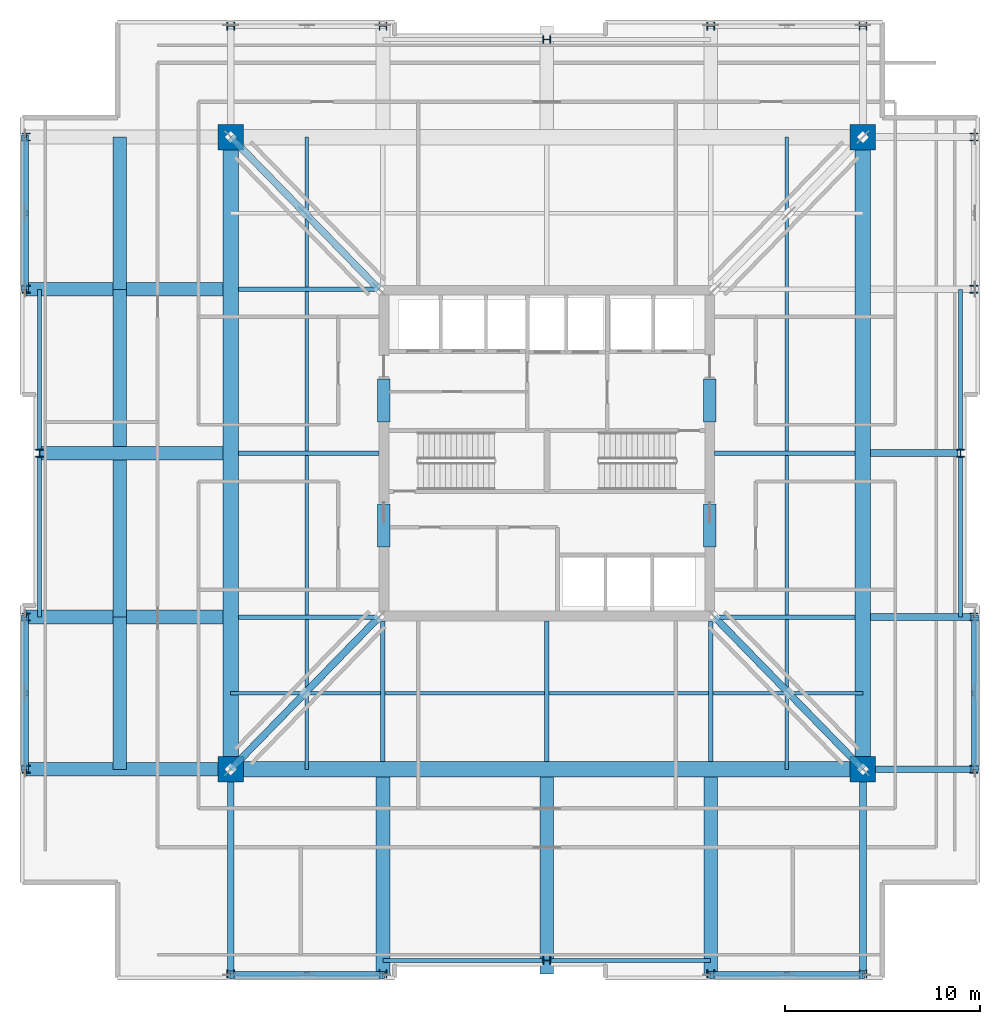
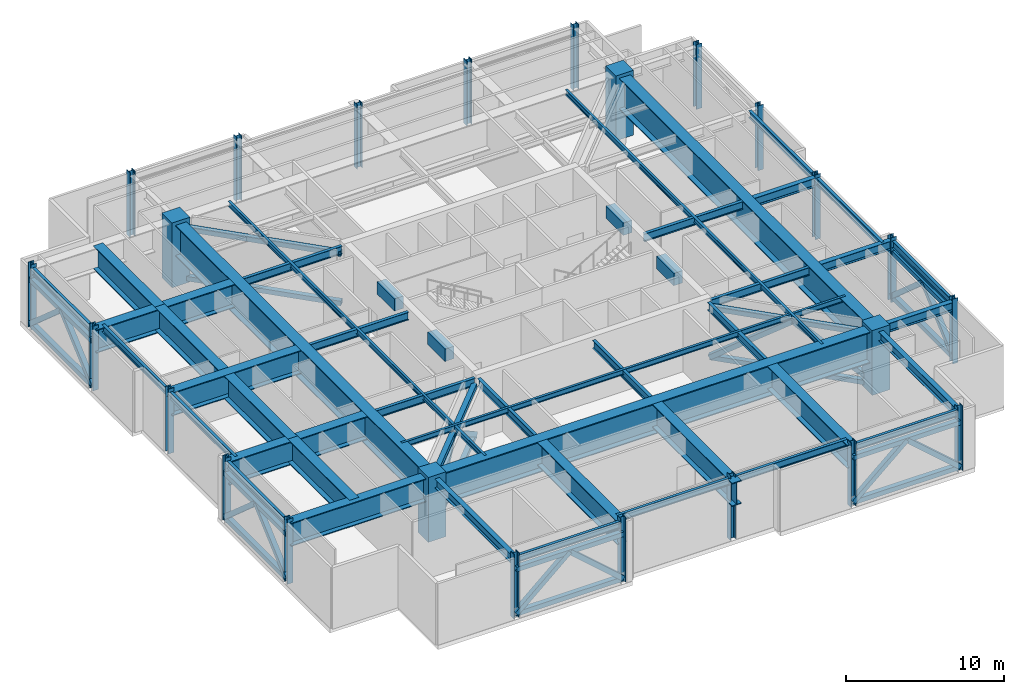
# One storey, part 1 of 13: 45 beams, 30 members, 24 columns.
"""IFC4 building model written with IfcOpenShell, lengths in metres."""

import ifcopenshell
import ifcopenshell.guid

model = None  # the IFC model being written
_history = None  # IfcOwnerHistory: only IFC2X3 demands one
_inside = {}  # id of a spatial element -> (the spatial element, [elements in it])
_under = {}  # id of a project, library or spatial element -> (it, [spatial elements below it])
_declared = {}  # id of a project -> (the project, [libraries it declares])
_typed = {}  # id of a type object -> (the type object, [elements of that type])
_made_of = {}  # id of a material, layer set ... -> (it, [elements and type objects made of it])


def new_model(schema):
    """Start an empty IFC model of exactly this schema.

    Asked for "IFC4X3", IfcOpenShell would pick the latest addendum, in which some entities
    have other attributes; the version numbers below select the first issue.
    IFC2X3 requires an IfcOwnerHistory on every rooted entity: one is made here for all.
    """
    global model, _history
    if schema == "IFC4X3":
        model = ifcopenshell.file(schema_version=(4, 3, 0, 0))
    else:
        model = ifcopenshell.file(schema=schema)
    _inside.clear()
    _under.clear()
    _declared.clear()
    _typed.clear()
    _made_of.clear()
    _history = None
    if model.schema == "IFC2X3":
        org = make("IfcOrganization", Name="unknown")
        user = make(
            "IfcPersonAndOrganization",
            ThePerson=make("IfcPerson", FamilyName="unknown"),
            TheOrganization=org,
        )
        app = make(
            "IfcApplication",
            ApplicationDeveloper=org,
            Version="unknown",
            ApplicationFullName="unknown",
            ApplicationIdentifier="unknown",
        )
        _history = make(
            "IfcOwnerHistory",
            OwningUser=user,
            OwningApplication=app,
            ChangeAction="ADDED",
            CreationDate=0,
        )
    return model


def make(cls, **values):
    """One entity of the class cls with the attributes given. An attribute that is None is left unset."""
    return model.create_entity(
        cls, **{name: value for name, value in values.items() if value is not None}
    )


def rooted(cls, **values):
    """An entity with a GlobalId (a new one), such as an element, a storey or a relation."""
    return make(cls, GlobalId=ifcopenshell.guid.new(), OwnerHistory=_history, **values)


def si_unit(unit_type, name, prefix=None):
    """IfcSIUnit, for example si_unit("LENGTHUNIT", "METRE", prefix="MILLI")."""
    return make("IfcSIUnit", UnitType=unit_type, Prefix=prefix, Name=name)


def assignment(units):
    """IfcUnitAssignment: the units of a project."""
    return None if units is None else make("IfcUnitAssignment", Units=units)


def point(xyz):
    """IfcCartesianPoint."""
    return None if xyz is None else make("IfcCartesianPoint", Coordinates=xyz)


def direction(xyz):
    """IfcDirection."""
    return None if xyz is None else make("IfcDirection", DirectionRatios=xyz)


def frame(location, z_axis=None, x_axis=None):
    """IfcAxis2Placement3D, a coordinate frame: its origin and axes. An axis left out is left unset."""
    return make(
        "IfcAxis2Placement3D",
        Location=point(location),
        Axis=direction(z_axis),
        RefDirection=direction(x_axis),
    )


def frame_2d(location, x_axis=None):
    """IfcAxis2Placement2D, a coordinate frame in the plane: its origin and x axis."""
    return make(
        "IfcAxis2Placement2D", Location=point(location), RefDirection=direction(x_axis)
    )


def origin():
    """The frame at (0, 0, 0) with its axes left unset."""
    return frame((0.0, 0.0, 0.0))


def origin_2d():
    """The frame at (0, 0) in the plane with its x axis left unset."""
    return frame_2d((0.0, 0.0))


def place(relative_to, where):
    """IfcLocalPlacement: puts the frame where relative to a parent placement (None: the world)."""
    return make(
        "IfcLocalPlacement", PlacementRelTo=relative_to, RelativePlacement=where
    )


def context(
    kind, dimensions, precision=None, world=None, true_north=None, identifier=None
):
    """IfcGeometricRepresentationContext, for example the 3D "Model" context."""
    return make(
        "IfcGeometricRepresentationContext",
        ContextIdentifier=identifier,
        ContextType=kind,
        CoordinateSpaceDimension=dimensions,
        Precision=precision,
        WorldCoordinateSystem=world,
        TrueNorth=true_north,
    )


def subcontext(parent, identifier, kind, view, scale=None):
    """IfcGeometricRepresentationSubContext, for example "Body" below "Model"."""
    return make(
        "IfcGeometricRepresentationSubContext",
        ContextIdentifier=identifier,
        ContextType=kind,
        ParentContext=parent,
        TargetScale=scale,
        TargetView=view,
    )


def project(units=None, contexts=None):
    """IfcProject with its units and contexts."""
    return rooted(
        "IfcProject",
        Name="project",
        RepresentationContexts=contexts,
        UnitsInContext=assignment(units),
    )


def spatial(cls, under=None, at=None, **own):
    """A site, building, storey or space (cls), placed at a placement, below another one or the project."""
    s = rooted(cls, ObjectPlacement=at, **own)
    if under is not None:
        _under.setdefault(under.id(), (under, []))[1].append(s)
    return s


def profile(cls, at=None, kind="AREA", **sizes):
    """A parametric profile (cls). Its sizes go by their IFC names, for example OverallWidth=200.0."""
    return make(cls, ProfileType=kind, Position=at, **sizes)


def rectangle(**sizes):
    """IfcRectangleProfileDef."""
    return profile("IfcRectangleProfileDef", **sizes)


def hollow_rectangle(**sizes):
    """IfcRectangleHollowProfileDef."""
    return profile("IfcRectangleHollowProfileDef", **sizes)


def i_section(**sizes):
    """IfcIShapeProfileDef."""
    return profile("IfcIShapeProfileDef", **sizes)


def extrude(swept, where, along, depth):
    """IfcExtrudedAreaSolid: the profile swept, set in the frame where, extruded along a direction by depth."""
    return make(
        "IfcExtrudedAreaSolid",
        SweptArea=swept,
        Position=where,
        ExtrudedDirection=direction(along),
        Depth=depth,
    )


def shape(context_of_items, identifier, shape_type, items):
    """IfcShapeRepresentation: the items that make up one representation, for example the "Body"."""
    return make(
        "IfcShapeRepresentation",
        ContextOfItems=context_of_items,
        RepresentationIdentifier=identifier,
        RepresentationType=shape_type,
        Items=items,
    )


def material(Name=None, Category=None):
    """IfcMaterial."""
    return make("IfcMaterial", Name=Name, Category=Category)


def material_profile(
    of_material, cross_section, Name=None, Category=None, Priority=None
):
    """IfcMaterialProfile: a cross section and its material."""
    return make(
        "IfcMaterialProfile",
        Name=Name,
        Material=of_material,
        Profile=cross_section,
        Priority=Priority,
        Category=Category,
    )


def profile_set(profiles, Name=None, composite=None):
    """IfcMaterialProfileSet."""
    return make(
        "IfcMaterialProfileSet",
        Name=Name,
        MaterialProfiles=profiles,
        CompositeProfile=composite,
    )


def made_of(thing, what):
    """Note that an element or type object is made of a material, layer set ...; save() writes the relation."""
    if what is not None:
        _made_of.setdefault(what.id(), (what, []))[1].append(thing)
    return thing


def type_object(cls, material=None, **own):
    """A type object (cls), such as IfcWallType, which elements share."""
    return made_of(rooted(cls, **own), material)


def element(
    cls,
    number,
    at=None,
    inside=None,
    cuts=None,
    type_object=None,
    material=None,
    context=None,
    identifier="Body",
    shape_type=None,
    held_by="IfcProductDefinitionShape",
    body=None,
    shapes=None,
    **own,
):
    """One element of the class cls, such as IfcWall. Its Tag is "e" and its number.

    at: its placement. inside: the storey or other place that contains it. cuts: it is an
    opening in that element (IfcRelVoidsElement). A single representation is given by context,
    identifier, shape_type and body (its items); several are given by shapes. held_by: the class
    of the entity that holds the representations. save() writes the other relations.
    """
    e = rooted(cls, Tag="e%d" % number, ObjectPlacement=at, **own)
    if body is not None:
        shapes = [shape(context, identifier, shape_type, body)]
    if shapes is not None:
        e.Representation = make(held_by, Representations=shapes)
    if inside is not None:
        _inside.setdefault(inside.id(), (inside, []))[1].append(e)
    if cuts is not None:
        rooted(
            "IfcRelVoidsElement", RelatingBuildingElement=cuts, RelatedOpeningElement=e
        )
    if type_object is not None:
        _typed.setdefault(type_object.id(), (type_object, []))[1].append(e)
    return made_of(e, material)


def aggregate(whole, parts):
    """IfcRelAggregates: a whole, such as a stair, and the parts it consists of."""
    return rooted("IfcRelAggregates", RelatingObject=whole, RelatedObjects=parts)


def save(model, path):
    """Write the relations noted so far, then the file.

    IfcRelAggregates (storeys below a building ...), IfcRelContainedInSpatialStructure (elements
    in a storey), IfcRelDefinesByType, IfcRelAssociatesMaterial and IfcRelDeclares: one each for
    every whole, place, type object, material and project.
    """
    for whole, parts in _under.values():
        aggregate(whole, parts)
    for where, things in _inside.values():
        rooted(
            "IfcRelContainedInSpatialStructure",
            RelatedElements=things,
            RelatingStructure=where,
        )
    for kind, things in _typed.values():
        rooted("IfcRelDefinesByType", RelatedObjects=things, RelatingType=kind)
    for what, things in _made_of.values():
        rooted("IfcRelAssociatesMaterial", RelatedObjects=things, RelatingMaterial=what)
    for by, libraries in _declared.values():
        rooted("IfcRelDeclares", RelatingContext=by, RelatedDefinitions=libraries)
    model.write(path)


model = new_model("IFC4")

# Units and contexts
model_context = context("Model", 3, precision=1e-05, world=origin(), true_north=direction((0.0, 1.0)))
body_context = subcontext(model_context, "Body", "Model", "MODEL_VIEW")
ifc_project = project(units=[si_unit("LENGTHUNIT", "METRE"), si_unit("AREAUNIT", "SQUARE_METRE"), si_unit("VOLUMEUNIT", "CUBIC_METRE"), si_unit("PLANEANGLEUNIT", "RADIAN"), si_unit("MASSUNIT", "GRAM", prefix="KILO")], contexts=[model_context])

# Site, building, storey
site_placement = place(None, origin())
site = spatial("IfcSite", under=ifc_project, at=site_placement, CompositionType="ELEMENT")
building_placement = place(site_placement, origin())
building = spatial("IfcBuilding", under=site, at=building_placement, Name="Drelvath Grand Hotel", CompositionType="ELEMENT")
storey_placement = place(building_placement, frame((0.0, 0.0, 200.10009765625)))
storey = spatial("IfcBuildingStorey", under=building, at=storey_placement, Name="L52", CompositionType="ELEMENT", Elevation=200.10009765625)

# Columns
ifc_material_1 = material(Name="Concrete f'c 55 MPa", Category="concrete")
ifc_material_profile_1 = material_profile(ifc_material_1, rectangle(XDim=1.300048828125, YDim=1.300048828125, at=origin_2d()), Name="MC1300X1300")
ifc_profile_set_1 = profile_set([ifc_material_profile_1], Name="Concrete f'c 55 MPa")
column_type_1 = type_object("IfcColumnType", Name="Composite Mega Column MC1300X1300", PredefinedType="COLUMN", material=ifc_profile_set_1)
for number, where, z_axis, x_axis, name in (
    (1, (-16.199951171875, 10.800048828125, 0.0), (0.0, 0.0, 1.0), (1.0, 0.0, 0.0), "L52 Composite Mega Column MC-SW"),
    (2, (16.199951171875, 10.800048828125, 0.0), (0.0, 0.0, 1.0), (1.0, 0.0, 0.0), "L52 Composite Mega Column MC-SE"),
    (3, (-16.199951171875, 43.199951171875, 0.0), (0.0, 0.0, 1.0), (1.0, 0.0, 0.0), "L52 Composite Mega Column MC-NW"),
    (4, (16.199951171875, 43.199951171875, 0.0), (0.0, 0.0, 1.0), (1.0, 0.0, 0.0), "L52 Composite Mega Column MC-NE"),
):
    element("IfcColumn", number, at=place(storey_placement, frame(where, z_axis=z_axis, x_axis=x_axis)), inside=storey, type_object=column_type_1, Name=name, PredefinedType="COLUMN", context=body_context, shape_type="SweptSolid", body=[
        extrude(rectangle(XDim=1.300048828125, YDim=1.300048828125, at=origin_2d()), origin(), (0.0, 0.0, 1.0), 5.0),
    ])
ifc_material_2 = material(Name="Steel ASTM A913 Gr 65", Category="steel")
ifc_material_profile_2 = material_profile(ifc_material_2, i_section(OverallWidth=0.4013671875, OverallDepth=0.3994140625, WebThickness=0.02490234375, FlangeThickness=0.03955078125, FilletRadius=0.02490234375, at=origin_2d()), Name="W14X211")
ifc_profile_set_2 = profile_set([ifc_material_profile_2], Name="Steel ASTM A913 Gr 65")
column_type_2 = type_object("IfcColumnType", Name="Perimeter Steel Column W14X211", PredefinedType="COLUMN", material=ifc_profile_set_2)
for number, where, z_axis, x_axis, name in (
    (5, (-26.679931640625, 10.800048828125, 0.0), (0.0, 0.0, 1.0), (1.0, 0.0, 0.0), "L52 Structural Column TCW-C"),
    (6, (21.8798828125, 10.800048828125, 0.0), (0.0, 0.0, 1.0), (1.0, 0.0, 0.0), "L52 Structural Column TCE-C"),
    (7, (-26.679931640625, 18.60009765625, 0.0), (0.0, 0.0, 1.0), (1.0, 0.0, 0.0), "L52 Structural Column TCW-D"),
    (8, (21.8798828125, 18.60009765625, 0.0), (0.0, 0.0, 1.0), (1.0, 0.0, 0.0), "L52 Structural Column TCE-D"),
    (9, (-26.0, 27.0, 0.0), (0.0, 0.0, 1.0), (1.0, 0.0, 0.0), "L52 Structural Column TCW-E"),
    (10, (21.199951171875, 27.0, 0.0), (0.0, 0.0, 1.0), (1.0, 0.0, 0.0), "L52 Structural Column TCE-E"),
    (11, (-26.679931640625, 35.39990234375, 0.0), (0.0, 0.0, 1.0), (1.0, 0.0, 0.0), "L52 Structural Column TCW-F"),
    (12, (21.8798828125, 35.39990234375, 0.0), (0.0, 0.0, 1.0), (1.0, 0.0, 0.0), "L52 Structural Column TCE-F"),
    (13, (-26.679931640625, 43.199951171875, 0.0), (0.0, 0.0, 1.0), (1.0, 0.0, 0.0), "L52 Structural Column TCW-G"),
    (14, (21.8798828125, 43.199951171875, 0.0), (0.0, 0.0, 1.0), (1.0, 0.0, 0.0), "L52 Structural Column TCE-G"),
    (15, (-16.199951171875, 0.320068359375, 0.0), (0.0, 0.0, 1.0), (0.0, 1.0, 0.0), "L52 Structural Column TCS-3"),
    (16, (-16.199951171875, 48.8798828125, 0.0), (0.0, 0.0, 1.0), (0.0, 1.0, 0.0), "L52 Structural Column TCN-3"),
    (17, (-8.39990234375, 0.320068359375, 0.0), (0.0, 0.0, 1.0), (0.0, 1.0, 0.0), "L52 Structural Column TCS-4"),
    (18, (-8.39990234375, 48.8798828125, 0.0), (0.0, 0.0, 1.0), (0.0, 1.0, 0.0), "L52 Structural Column TCN-4"),
    (19, (0.0, 1.0, 0.0), (0.0, 0.0, 1.0), (0.0, 1.0, 0.0), "L52 Structural Column TCS-5"),
    (20, (0.0, 48.199951171875, 0.0), (0.0, 0.0, 1.0), (0.0, 1.0, 0.0), "L52 Structural Column TCN-5"),
    (21, (8.39990234375, 0.320068359375, 0.0), (0.0, 0.0, 1.0), (0.0, 1.0, 0.0), "L52 Structural Column TCS-6"),
    (22, (8.39990234375, 48.8798828125, 0.0), (0.0, 0.0, 1.0), (0.0, 1.0, 0.0), "L52 Structural Column TCN-6"),
    (23, (16.199951171875, 0.320068359375, 0.0), (0.0, 0.0, 1.0), (0.0, 1.0, 0.0), "L52 Structural Column TCS-7"),
    (24, (16.199951171875, 48.8798828125, 0.0), (0.0, 0.0, 1.0), (0.0, 1.0, 0.0), "L52 Structural Column TCN-7"),
):
    element("IfcColumn", number, at=place(storey_placement, frame(where, z_axis=z_axis, x_axis=x_axis)), inside=storey, type_object=column_type_2, Name=name, PredefinedType="COLUMN", context=body_context, shape_type="SweptSolid", body=[
        extrude(i_section(OverallWidth=0.4013671875, OverallDepth=0.3994140625, WebThickness=0.02490234375, FlangeThickness=0.03955078125, FilletRadius=0.02490234375, at=origin_2d()), origin(), (0.0, 0.0, 1.0), 4.996826171875),
    ])

# Beams
ifc_material_3 = material(Name="Steel ASTM A572 Gr 50", Category="steel")
ifc_material_profile_3 = material_profile(ifc_material_3, i_section(OverallWidth=0.699951171875, OverallDepth=1.800048828125, WebThickness=0.035888671875, FlangeThickness=0.06494140625, at=origin_2d()), Name="PG1800X700")
ifc_profile_set_3 = profile_set([ifc_material_profile_3], Name="Steel ASTM A572 Gr 50")
beam_type_1 = type_object("IfcBeamType", Name="Built-Up Transfer Girder PG1800X700", PredefinedType="BEAM", material=ifc_profile_set_3)
beam_1_placement = place(storey_placement, frame((-21.8798828125, 10.800048828125, 3.83984375), z_axis=(0.0, 1.0, 0.0), x_axis=(-1.0, 0.0, 0.0)))
element("IfcBeam", 25, at=beam_1_placement, inside=storey, type_object=beam_type_1, Name="L52 Setback Transfer Girder West 1", PredefinedType="BEAM", context=body_context, shape_type="SweptSolid", body=[
    extrude(i_section(OverallWidth=0.699951171875, OverallDepth=1.800048828125, WebThickness=0.035888671875, FlangeThickness=0.06494140625, at=origin_2d()), origin(), (0.0, 0.0, 1.0), 7.800048828125),
])
for number, where, z_axis, x_axis, name in (
    (26, (-21.8798828125, 18.60009765625, 3.83984375), (0.0, 1.0, 0.0), (-1.0, 0.0, 0.0), "L52 Setback Transfer Girder West 2"),
    (27, (-21.8798828125, 27.35009765625, 3.83984375), (0.0, 1.0, 0.0), (-1.0, 0.0, 0.0), "L52 Setback Transfer Girder West 3"),
):
    element("IfcBeam", number, at=place(storey_placement, frame(where, z_axis=z_axis, x_axis=x_axis)), inside=storey, type_object=beam_type_1, Name=name, PredefinedType="BEAM", context=body_context, shape_type="SweptSolid", body=[
        extrude(i_section(OverallWidth=0.699951171875, OverallDepth=1.800048828125, WebThickness=0.035888671875, FlangeThickness=0.06494140625, at=origin_2d()), origin(), (0.0, 0.0, 1.0), 8.0498046875),
    ])
beam_2_placement = place(storey_placement, frame((-21.8798828125, 35.39990234375, 3.83984375), z_axis=(0.0, 1.0, 0.0), x_axis=(-1.0, 0.0, 0.0)))
element("IfcBeam", 28, at=beam_2_placement, inside=storey, type_object=beam_type_1, Name="L52 Setback Transfer Girder West 4", PredefinedType="BEAM", context=body_context, shape_type="SweptSolid", body=[
    extrude(i_section(OverallWidth=0.699951171875, OverallDepth=1.800048828125, WebThickness=0.035888671875, FlangeThickness=0.06494140625, at=origin_2d()), origin(), (0.0, 0.0, 1.0), 7.800048828125),
])
beam_3_placement = place(storey_placement, frame((-26.679931640625, 10.800048828125, 3.83984375), z_axis=(1.0, 0.0, 0.0), x_axis=(0.0, 1.0, 0.0)))
element("IfcBeam", 29, at=beam_3_placement, inside=storey, type_object=beam_type_1, Name="L52 Setback Cross Transfer Girder C", PredefinedType="BEAM", context=body_context, shape_type="SweptSolid", body=[
    extrude(i_section(OverallWidth=0.699951171875, OverallDepth=1.800048828125, WebThickness=0.035888671875, FlangeThickness=0.06494140625, at=origin_2d()), origin(), (0.0, 0.0, 1.0), 10.47998046875),
])
beam_4_placement = place(storey_placement, frame((-26.679931640625, 18.60009765625, 3.83984375), z_axis=(1.0, 0.0, 0.0), x_axis=(0.0, 1.0, 0.0)))
element("IfcBeam", 30, at=beam_4_placement, inside=storey, type_object=beam_type_1, Name="L52 Setback Cross Transfer Girder D", PredefinedType="BEAM", context=body_context, shape_type="SweptSolid", body=[
    extrude(i_section(OverallWidth=0.699951171875, OverallDepth=1.800048828125, WebThickness=0.035888671875, FlangeThickness=0.06494140625, at=origin_2d()), origin(), (0.0, 0.0, 1.0), 10.079833984375),
])
beam_5_placement = place(storey_placement, frame((-26.0, 27.0, 3.83984375), z_axis=(1.0, 0.0, 0.0), x_axis=(0.0, 1.0, 0.0)))
element("IfcBeam", 31, at=beam_5_placement, inside=storey, type_object=beam_type_1, Name="L52 Setback Cross Transfer Girder E", PredefinedType="BEAM", context=body_context, shape_type="SweptSolid", body=[
    extrude(i_section(OverallWidth=0.699951171875, OverallDepth=1.800048828125, WebThickness=0.035888671875, FlangeThickness=0.06494140625, at=origin_2d()), origin(), (0.0, 0.0, 1.0), 9.39990234375),
])
for number, where, z_axis, x_axis, name in (
    (32, (-26.679931640625, 35.39990234375, 3.83984375), (1.0, 0.0, 0.0), (0.0, 1.0, 0.0), "L52 Setback Cross Transfer Girder F"),
    (33, (-8.39990234375, 0.320068359375, 3.83984375), (0.0, 1.0, 0.0), (-1.0, 0.0, 0.0), "L52 Recess Transfer Girder S4"),
    (34, (0.0, 0.320068359375, 3.83984375), (0.0, 1.0, 0.0), (-1.0, 0.0, 0.0), "L52 Recess Transfer Girder S5"),
    (35, (8.39990234375, 0.320068359375, 3.83984375), (0.0, 1.0, 0.0), (-1.0, 0.0, 0.0), "L52 Recess Transfer Girder S6"),
):
    element("IfcBeam", number, at=place(storey_placement, frame(where, z_axis=z_axis, x_axis=x_axis)), inside=storey, type_object=beam_type_1, Name=name, PredefinedType="BEAM", context=body_context, shape_type="SweptSolid", body=[
        extrude(i_section(OverallWidth=0.699951171875, OverallDepth=1.800048828125, WebThickness=0.035888671875, FlangeThickness=0.06494140625, at=origin_2d()), origin(), (0.0, 0.0, 1.0), 10.079833984375),
    ])
ifc_material_profile_4 = material_profile(ifc_material_3, i_section(OverallWidth=0.800048828125, OverallDepth=2.39990234375, WebThickness=0.0400390625, FlangeThickness=0.074951171875, at=origin_2d()), Name="PG2400X800")
ifc_profile_set_4 = profile_set([ifc_material_profile_4], Name="Steel ASTM A572 Gr 50")
beam_type_2 = type_object("IfcBeamType", Name="Built-Up Transfer Girder PG2400X800", PredefinedType="BEAM", material=ifc_profile_set_4)
for number, where, z_axis, x_axis, name in (
    (36, (-16.199951171875, 10.800048828125, 3.539794921875), (1.0, 0.0, 0.0), (0.0, 1.0, 0.0), "L52 Mega Ring Girder South"),
    (37, (-16.199951171875, 10.800048828125, 3.539794921875), (0.0, 1.0, 0.0), (-1.0, 0.0, 0.0), "L52 Mega Ring Girder West"),
    (38, (16.199951171875, 10.800048828125, 3.539794921875), (0.0, 1.0, 0.0), (-1.0, 0.0, 0.0), "L52 Mega Ring Girder East"),
):
    element("IfcBeam", number, at=place(storey_placement, frame(where, z_axis=z_axis, x_axis=x_axis)), inside=storey, type_object=beam_type_2, Name=name, PredefinedType="BEAM", context=body_context, shape_type="SweptSolid", body=[
        extrude(i_section(OverallWidth=0.800048828125, OverallDepth=2.39990234375, WebThickness=0.0400390625, FlangeThickness=0.074951171875, at=origin_2d()), origin(), (0.0, 0.0, 1.0), 32.39990234375),
    ])
ifc_material_4 = material(Name="Steel ASTM A992 Gr 50", Category="steel")
ifc_material_profile_5 = material_profile(ifc_material_4, i_section(OverallWidth=0.177734375, OverallDepth=0.40673828125, WebThickness=0.0078125, FlangeThickness=0.0126953125, FilletRadius=0.014892578125, at=origin_2d()), Name="W16X40")
ifc_profile_set_5 = profile_set([ifc_material_profile_5], Name="Steel ASTM A992 Gr 50")
beam_type_3 = type_object("IfcBeamType", Name="Composite Floor Joist W16X40", PredefinedType="JOIST", material=ifc_profile_set_5)
for number, where, z_axis, x_axis, name in (
    (39, (-16.199951171875, 14.699951171875, 4.53662109375), (1.0, 0.0, 0.0), (0.0, 1.0, 0.0), "L52 Floor Joist J1"),
    (40, (-12.300048828125, 10.800048828125, 4.53662109375), (0.0, 1.0, 0.0), (-1.0, 0.0, 0.0), "L52 Wing Floor Joist J3"),
    (41, (12.300048828125, 10.800048828125, 4.53662109375), (0.0, 1.0, 0.0), (-1.0, 0.0, 0.0), "L52 Wing Floor Joist J4"),
):
    element("IfcBeam", number, at=place(storey_placement, frame(where, z_axis=z_axis, x_axis=x_axis)), inside=storey, type_object=beam_type_3, Name=name, PredefinedType="JOIST", context=body_context, shape_type="SweptSolid", body=[
        extrude(i_section(OverallWidth=0.177734375, OverallDepth=0.40673828125, WebThickness=0.0078125, FlangeThickness=0.0126953125, FilletRadius=0.014892578125, at=origin_2d()), origin(), (0.0, 0.0, 1.0), 32.39990234375),
    ])
ifc_material_profile_6 = material_profile(ifc_material_1, rectangle(XDim=0.64990234375, YDim=0.949951171875, at=origin_2d()), Name="CB650X950")
ifc_profile_set_6 = profile_set([ifc_material_profile_6], Name="Concrete f'c 55 MPa")
beam_type_4 = type_object("IfcBeamType", Name="Core Coupling Lintel CB650X950", PredefinedType="LINTEL", material=ifc_profile_set_6)
for number, where, z_axis, x_axis, name in (
    (42, (-8.35009765625, 22.199951171875, 4.264892578125), (0.0, 1.0, 0.0), (-1.0, 0.0, 0.0), "L52 Core Coupling Lintel WS"),
    (43, (-8.35009765625, 28.60009765625, 4.264892578125), (0.0, 1.0, 0.0), (-1.0, 0.0, 0.0), "L52 Core Coupling Lintel WN"),
    (44, (8.35009765625, 22.199951171875, 4.264892578125), (0.0, 1.0, 0.0), (-1.0, 0.0, 0.0), "L52 Core Coupling Lintel ES"),
    (45, (8.35009765625, 28.60009765625, 4.264892578125), (0.0, 1.0, 0.0), (-1.0, 0.0, 0.0), "L52 Core Coupling Lintel EN"),
):
    element("IfcBeam", number, at=place(storey_placement, frame(where, z_axis=z_axis, x_axis=x_axis)), inside=storey, type_object=beam_type_4, Name=name, PredefinedType="LINTEL", context=body_context, shape_type="SweptSolid", body=[
        extrude(rectangle(XDim=0.64990234375, YDim=0.949951171875, at=origin_2d()), origin(), (0.0, 0.0, 1.0), 2.199951171875),
    ])

# Members
ifc_material_5 = material(Name="Steel ASTM A500 Gr C", Category="steel")
ifc_material_profile_7 = material_profile(ifc_material_5, hollow_rectangle(XDim=0.355712890625, YDim=0.355712890625, WallThickness=0.015869140625, at=origin_2d()), Name="HSS356X356X16")
ifc_profile_set_7 = profile_set([ifc_material_profile_7], Name="Steel ASTM A500 Gr C")
member_type_1 = type_object("IfcMemberType", Name="Outrigger and Belt Truss Brace HSS356X356X16", PredefinedType="BRACE", material=ifc_profile_set_7)
for number, where, z_axis, x_axis, name in (
    (46, (-8.60009765625, 18.60009765625, 0.349853515625), (-0.572256955688, -0.587368598504, 0.572293723675), (0.716260617515, -0.697832879562, 0.0), "L52 Outrigger Truss Diagonal SW-1"),
    (47, (-12.39990234375, 14.699951171875, 4.14990234375), (-0.572294040882, -0.587332156059, -0.572294040882), (0.716216371491, -0.697878291114, 0.0), "L52 Outrigger Truss Diagonal SW-2"),
    (48, (8.60009765625, 18.60009765625, 0.349853515625), (0.572256955688, -0.587368598504, 0.572293723675), (0.716260617515, 0.697832879562, 0.0), "L52 Outrigger Truss Diagonal SE-1"),
    (49, (12.39990234375, 14.699951171875, 4.14990234375), (0.572294040882, -0.587332156059, -0.572294040882), (0.716216371491, 0.697878291114, 0.0), "L52 Outrigger Truss Diagonal SE-2"),
):
    element("IfcMember", number, at=place(storey_placement, frame(where, z_axis=z_axis, x_axis=x_axis)), inside=storey, type_object=member_type_1, Name=name, PredefinedType="BRACE", context=body_context, shape_type="SweptSolid", body=[
        extrude(hollow_rectangle(XDim=0.355712890625, YDim=0.355712890625, WallThickness=0.015869140625, at=origin_2d()), origin(), (0.0, 0.0, 1.0), 6.64013671875),
    ])
member_1_placement = place(storey_placement, frame((-26.75, 10.800048828125, 0.349853515625), z_axis=(0.0, 0.750902788977, 0.660412750866), x_axis=(-1.0, 0.0, 0.0)))
element("IfcMember", 50, at=member_1_placement, inside=storey, type_object=member_type_1, Name="L52 Belt Truss Diagonal BW-S-1", PredefinedType="BRACE", context=body_context, shape_type="SweptSolid", body=[
    extrude(hollow_rectangle(XDim=0.355712890625, YDim=0.355712890625, WallThickness=0.015869140625, at=origin_2d()), origin(), (0.0, 0.0, 1.0), 5.193603515625),
])
for number, where, z_axis, x_axis, name in (
    (51, (-26.75, 14.699951171875, 3.77978515625), (0.0, 0.750923290114, -0.660389439925), (-1.0, 0.0, 0.0), "L52 Belt Truss Diagonal BW-S-2"),
    (52, (-26.75, 35.39990234375, 0.349853515625), (0.0, 0.750923290114, 0.660389439925), (-1.0, 0.0, 0.0), "L52 Belt Truss Diagonal BW-N-1"),
):
    element("IfcMember", number, at=place(storey_placement, frame(where, z_axis=z_axis, x_axis=x_axis)), inside=storey, type_object=member_type_1, Name=name, PredefinedType="BRACE", context=body_context, shape_type="SweptSolid", body=[
        extrude(hollow_rectangle(XDim=0.355712890625, YDim=0.355712890625, WallThickness=0.015869140625, at=origin_2d()), origin(), (0.0, 0.0, 1.0), 5.19384765625),
    ])
for number, where, z_axis, x_axis, name in (
    (53, (-26.75, 39.300048828125, 3.77978515625), (0.0, 0.750902788977, -0.660412750866), (-1.0, 0.0, 0.0), "L52 Belt Truss Diagonal BW-N-2"),
    (54, (21.949951171875, 10.800048828125, 0.349853515625), (0.0, 0.750902788977, 0.660412750866), (-1.0, 0.0, 0.0), "L52 Belt Truss Diagonal BE-S-1"),
):
    element("IfcMember", number, at=place(storey_placement, frame(where, z_axis=z_axis, x_axis=x_axis)), inside=storey, type_object=member_type_1, Name=name, PredefinedType="BRACE", context=body_context, shape_type="SweptSolid", body=[
        extrude(hollow_rectangle(XDim=0.355712890625, YDim=0.355712890625, WallThickness=0.015869140625, at=origin_2d()), origin(), (0.0, 0.0, 1.0), 5.193603515625),
    ])
member_2_placement = place(storey_placement, frame((21.949951171875, 14.699951171875, 3.77978515625), z_axis=(0.0, 0.750923290114, -0.660389439925), x_axis=(-1.0, 0.0, 0.0)))
element("IfcMember", 55, at=member_2_placement, inside=storey, type_object=member_type_1, Name="L52 Belt Truss Diagonal BE-S-2", PredefinedType="BRACE", context=body_context, shape_type="SweptSolid", body=[
    extrude(hollow_rectangle(XDim=0.355712890625, YDim=0.355712890625, WallThickness=0.015869140625, at=origin_2d()), origin(), (0.0, 0.0, 1.0), 5.19384765625),
])
member_3_placement = place(storey_placement, frame((-16.199951171875, 0.25, 0.349853515625), z_axis=(0.750902788977, 0.0, 0.660412750866), x_axis=(0.0, 1.0, 0.0)))
element("IfcMember", 56, at=member_3_placement, inside=storey, type_object=member_type_1, Name="L52 Belt Truss Diagonal BS-W-1", PredefinedType="BRACE", context=body_context, shape_type="SweptSolid", body=[
    extrude(hollow_rectangle(XDim=0.355712890625, YDim=0.355712890625, WallThickness=0.015869140625, at=origin_2d()), origin(), (0.0, 0.0, 1.0), 5.193603515625),
])
for number, where, z_axis, x_axis, name in (
    (57, (-12.300048828125, 0.25, 3.77978515625), (0.750923290114, 0.0, -0.660389439925), (0.0, 1.0, 0.0), "L52 Belt Truss Diagonal BS-W-2"),
    (58, (8.39990234375, 0.25, 0.349853515625), (0.750923290114, 0.0, 0.660389439925), (0.0, 1.0, 0.0), "L52 Belt Truss Diagonal BS-E-1"),
):
    element("IfcMember", number, at=place(storey_placement, frame(where, z_axis=z_axis, x_axis=x_axis)), inside=storey, type_object=member_type_1, Name=name, PredefinedType="BRACE", context=body_context, shape_type="SweptSolid", body=[
        extrude(hollow_rectangle(XDim=0.355712890625, YDim=0.355712890625, WallThickness=0.015869140625, at=origin_2d()), origin(), (0.0, 0.0, 1.0), 5.19384765625),
    ])
member_4_placement = place(storey_placement, frame((12.300048828125, 0.25, 3.77978515625), z_axis=(0.750902788977, 0.0, -0.660412750866), x_axis=(0.0, 1.0, 0.0)))
element("IfcMember", 59, at=member_4_placement, inside=storey, type_object=member_type_1, Name="L52 Belt Truss Diagonal BS-E-2", PredefinedType="BRACE", context=body_context, shape_type="SweptSolid", body=[
    extrude(hollow_rectangle(XDim=0.355712890625, YDim=0.355712890625, WallThickness=0.015869140625, at=origin_2d()), origin(), (0.0, 0.0, 1.0), 5.193603515625),
])
ifc_material_profile_8 = material_profile(ifc_material_5, hollow_rectangle(XDim=0.355712890625, YDim=0.355712890625, WallThickness=0.015869140625, at=origin_2d()), Name="HSS356X356X16")
ifc_profile_set_8 = profile_set([ifc_material_profile_8], Name="Steel ASTM A500 Gr C")
member_type_2 = type_object("IfcMemberType", Name="Outrigger and Belt Truss Chord HSS356X356X16", PredefinedType="CHORD", material=ifc_profile_set_8)
for number, where, z_axis, x_axis, name in (
    (60, (-8.60009765625, 18.60009765625, 0.349853515625), (-0.697855585679, -0.716238494872, 0.0), (0.716238494872, -0.697855585679, 0.0), "L52 Outrigger Truss Bottom Chord SW"),
    (61, (-8.60009765625, 18.60009765625, 4.14990234375), (-0.697855585679, -0.716238494872, 0.0), (0.716238494872, -0.697855585679, 0.0), "L52 Outrigger Truss Top Chord SW"),
    (62, (8.60009765625, 18.60009765625, 0.349853515625), (0.697855585679, -0.716238494872, 0.0), (0.716238494872, 0.697855585679, 0.0), "L52 Outrigger Truss Bottom Chord SE"),
    (63, (8.60009765625, 18.60009765625, 4.14990234375), (0.697855585679, -0.716238494872, 0.0), (0.716238494872, 0.697855585679, 0.0), "L52 Outrigger Truss Top Chord SE"),
    (64, (-8.60009765625, 35.39990234375, 0.349853515625), (-0.697855585679, 0.716238494872, 0.0), (-0.716238494872, -0.697855585679, 0.0), "L52 Outrigger Truss Bottom Chord NW"),
    (65, (-8.60009765625, 35.39990234375, 4.14990234375), (-0.697855585679, 0.716238494872, 0.0), (-0.716238494872, -0.697855585679, 0.0), "L52 Outrigger Truss Top Chord NW"),
):
    element("IfcMember", number, at=place(storey_placement, frame(where, z_axis=z_axis, x_axis=x_axis)), inside=storey, type_object=member_type_2, Name=name, PredefinedType="CHORD", context=body_context, shape_type="SweptSolid", body=[
        extrude(hollow_rectangle(XDim=0.355712890625, YDim=0.355712890625, WallThickness=0.015869140625, at=origin_2d()), origin(), (0.0, 0.0, 1.0), 10.890380859375),
    ])
for number, where, z_axis, x_axis, name in (
    (66, (-26.75, 10.800048828125, 0.349853515625), (0.0, 1.0, 0.0), (-1.0, 0.0, 0.0), "L52 Belt Truss Bottom Chord BW-S"),
    (67, (-26.75, 10.800048828125, 3.77978515625), (0.0, 1.0, 0.0), (-1.0, 0.0, 0.0), "L52 Belt Truss Top Chord BW-S"),
    (68, (-26.75, 35.39990234375, 0.349853515625), (0.0, 1.0, 0.0), (-1.0, 0.0, 0.0), "L52 Belt Truss Bottom Chord BW-N"),
    (69, (-26.75, 35.39990234375, 3.77978515625), (0.0, 1.0, 0.0), (-1.0, 0.0, 0.0), "L52 Belt Truss Top Chord BW-N"),
    (70, (21.949951171875, 10.800048828125, 0.349853515625), (0.0, 1.0, 0.0), (-1.0, 0.0, 0.0), "L52 Belt Truss Bottom Chord BE-S"),
    (71, (21.949951171875, 10.800048828125, 3.77978515625), (0.0, 1.0, 0.0), (-1.0, 0.0, 0.0), "L52 Belt Truss Top Chord BE-S"),
    (72, (-16.199951171875, 0.25, 0.349853515625), (1.0, 0.0, 0.0), (0.0, 1.0, 0.0), "L52 Belt Truss Bottom Chord BS-W"),
    (73, (-16.199951171875, 0.25, 3.77978515625), (1.0, 0.0, 0.0), (0.0, 1.0, 0.0), "L52 Belt Truss Top Chord BS-W"),
    (74, (8.39990234375, 0.25, 0.349853515625), (1.0, 0.0, 0.0), (0.0, 1.0, 0.0), "L52 Belt Truss Bottom Chord BS-E"),
    (75, (8.39990234375, 0.25, 3.77978515625), (1.0, 0.0, 0.0), (0.0, 1.0, 0.0), "L52 Belt Truss Top Chord BS-E"),
):
    element("IfcMember", number, at=place(storey_placement, frame(where, z_axis=z_axis, x_axis=x_axis)), inside=storey, type_object=member_type_2, Name=name, PredefinedType="CHORD", context=body_context, shape_type="SweptSolid", body=[
        extrude(hollow_rectangle(XDim=0.355712890625, YDim=0.355712890625, WallThickness=0.015869140625, at=origin_2d()), origin(), (0.0, 0.0, 1.0), 7.800048828125),
    ])

# Beams
ifc_material_profile_9 = material_profile(ifc_material_4, i_section(OverallWidth=0.210205078125, OverallDepth=0.53662109375, WebThickness=0.010986328125, FlangeThickness=0.017333984375, FilletRadius=0.01806640625, at=origin_2d()), Name="W21X68")
ifc_profile_set_9 = profile_set([ifc_material_profile_9], Name="Steel ASTM A992 Gr 50")
beam_type_5 = type_object("IfcBeamType", Name="Perimeter Spandrel Beam W21X68", PredefinedType="SPANDREL", material=ifc_profile_set_9)
beam_6_placement = place(storey_placement, frame((-26.679931640625, 10.93994140625, 4.4716796875), z_axis=(0.0, 1.0, 0.0), x_axis=(-1.0, 0.0, 0.0)))
element("IfcBeam", 76, at=beam_6_placement, inside=storey, type_object=beam_type_5, Name="L52 Spandrel West S", PredefinedType="SPANDREL", context=body_context, shape_type="SweptSolid", body=[
    extrude(i_section(OverallWidth=0.210205078125, OverallDepth=0.53662109375, WebThickness=0.010986328125, FlangeThickness=0.017333984375, FilletRadius=0.01806640625, at=origin_2d()), origin(), (0.0, 0.0, 1.0), 7.52001953125),
])
for number, where, z_axis, x_axis, name in (
    (77, (-26.0, 18.60009765625, 4.4716796875), (0.0, 1.0, 0.0), (-1.0, 0.0, 0.0), "L52 Spandrel West Mid S"),
    (78, (-26.0, 27.139892578125, 4.4716796875), (0.0, 1.0, 0.0), (-1.0, 0.0, 0.0), "L52 Spandrel West Mid N"),
):
    element("IfcBeam", number, at=place(storey_placement, frame(where, z_axis=z_axis, x_axis=x_axis)), inside=storey, type_object=beam_type_5, Name=name, PredefinedType="SPANDREL", context=body_context, shape_type="SweptSolid", body=[
        extrude(i_section(OverallWidth=0.210205078125, OverallDepth=0.53662109375, WebThickness=0.010986328125, FlangeThickness=0.017333984375, FilletRadius=0.01806640625, at=origin_2d()), origin(), (0.0, 0.0, 1.0), 8.260009765625),
    ])
for number, where, z_axis, x_axis, name in (
    (79, (-26.679931640625, 35.5400390625, 4.4716796875), (0.0, 1.0, 0.0), (-1.0, 0.0, 0.0), "L52 Spandrel West N"),
    (80, (21.8798828125, 10.93994140625, 4.4716796875), (0.0, 1.0, 0.0), (-1.0, 0.0, 0.0), "L52 Spandrel East S"),
):
    element("IfcBeam", number, at=place(storey_placement, frame(where, z_axis=z_axis, x_axis=x_axis)), inside=storey, type_object=beam_type_5, Name=name, PredefinedType="SPANDREL", context=body_context, shape_type="SweptSolid", body=[
        extrude(i_section(OverallWidth=0.210205078125, OverallDepth=0.53662109375, WebThickness=0.010986328125, FlangeThickness=0.017333984375, FilletRadius=0.01806640625, at=origin_2d()), origin(), (0.0, 0.0, 1.0), 7.52001953125),
    ])
for number, where, z_axis, x_axis, name in (
    (81, (21.199951171875, 18.60009765625, 4.4716796875), (0.0, 1.0, 0.0), (-1.0, 0.0, 0.0), "L52 Spandrel East Mid S"),
    (82, (21.199951171875, 27.139892578125, 4.4716796875), (0.0, 1.0, 0.0), (-1.0, 0.0, 0.0), "L52 Spandrel East Mid N"),
):
    element("IfcBeam", number, at=place(storey_placement, frame(where, z_axis=z_axis, x_axis=x_axis)), inside=storey, type_object=beam_type_5, Name=name, PredefinedType="SPANDREL", context=body_context, shape_type="SweptSolid", body=[
        extrude(i_section(OverallWidth=0.210205078125, OverallDepth=0.53662109375, WebThickness=0.010986328125, FlangeThickness=0.017333984375, FilletRadius=0.01806640625, at=origin_2d()), origin(), (0.0, 0.0, 1.0), 8.260009765625),
    ])
beam_7_placement = place(storey_placement, frame((-16.06005859375, 0.320068359375, 4.4716796875), z_axis=(1.0, 0.0, 0.0), x_axis=(0.0, 1.0, 0.0)))
element("IfcBeam", 83, at=beam_7_placement, inside=storey, type_object=beam_type_5, Name="L52 Spandrel South W", PredefinedType="SPANDREL", context=body_context, shape_type="SweptSolid", body=[
    extrude(i_section(OverallWidth=0.210205078125, OverallDepth=0.53662109375, WebThickness=0.010986328125, FlangeThickness=0.017333984375, FilletRadius=0.01806640625, at=origin_2d()), origin(), (0.0, 0.0, 1.0), 7.52001953125),
])
for number, where, z_axis, x_axis, name in (
    (84, (-8.39990234375, 1.0, 4.4716796875), (1.0, 0.0, 0.0), (0.0, 1.0, 0.0), "L52 Spandrel South Mid W"),
    (85, (0.139892578125, 1.0, 4.4716796875), (1.0, 0.0, 0.0), (0.0, 1.0, 0.0), "L52 Spandrel South Mid E"),
):
    element("IfcBeam", number, at=place(storey_placement, frame(where, z_axis=z_axis, x_axis=x_axis)), inside=storey, type_object=beam_type_5, Name=name, PredefinedType="SPANDREL", context=body_context, shape_type="SweptSolid", body=[
        extrude(i_section(OverallWidth=0.210205078125, OverallDepth=0.53662109375, WebThickness=0.010986328125, FlangeThickness=0.017333984375, FilletRadius=0.01806640625, at=origin_2d()), origin(), (0.0, 0.0, 1.0), 8.260009765625),
    ])
beam_8_placement = place(storey_placement, frame((8.5400390625, 0.320068359375, 4.4716796875), z_axis=(1.0, 0.0, 0.0), x_axis=(0.0, 1.0, 0.0)))
element("IfcBeam", 86, at=beam_8_placement, inside=storey, type_object=beam_type_5, Name="L52 Spandrel South E", PredefinedType="SPANDREL", context=body_context, shape_type="SweptSolid", body=[
    extrude(i_section(OverallWidth=0.210205078125, OverallDepth=0.53662109375, WebThickness=0.010986328125, FlangeThickness=0.017333984375, FilletRadius=0.01806640625, at=origin_2d()), origin(), (0.0, 0.0, 1.0), 7.52001953125),
])
ifc_material_profile_10 = material_profile(ifc_material_4, i_section(OverallWidth=0.228271484375, OverallDepth=0.607666015625, WebThickness=0.01123046875, FlangeThickness=0.017333984375, FilletRadius=0.02001953125, at=origin_2d()), Name="W24X76")
ifc_profile_set_10 = profile_set([ifc_material_profile_10], Name="Steel ASTM A992 Gr 50")
beam_type_6 = type_object("IfcBeamType", Name="Primary Floor Girder W24X76", PredefinedType="BEAM", material=ifc_profile_set_10)
for number, where, z_axis, x_axis, name in (
    (87, (-15.800048828125, 18.60009765625, 4.43603515625), (1.0, 0.0, 0.0), (0.0, 1.0, 0.0), "L52 West Core Tie D"),
    (88, (8.60009765625, 18.60009765625, 4.43603515625), (1.0, 0.0, 0.0), (0.0, 1.0, 0.0), "L52 East Core Tie D"),
    (89, (-15.800048828125, 27.0, 4.43603515625), (1.0, 0.0, 0.0), (0.0, 1.0, 0.0), "L52 West Core Tie E"),
    (90, (8.60009765625, 27.0, 4.43603515625), (1.0, 0.0, 0.0), (0.0, 1.0, 0.0), "L52 East Core Tie E"),
    (91, (-15.800048828125, 35.39990234375, 4.43603515625), (1.0, 0.0, 0.0), (0.0, 1.0, 0.0), "L52 West Core Tie F"),
    (92, (-8.39990234375, 11.199951171875, 4.43603515625), (0.0, 1.0, 0.0), (-1.0, 0.0, 0.0), "L52 South Core Tie 4"),
    (93, (0.0, 11.199951171875, 4.43603515625), (0.0, 1.0, 0.0), (-1.0, 0.0, 0.0), "L52 South Core Tie 5"),
    (94, (8.39990234375, 11.199951171875, 4.43603515625), (0.0, 1.0, 0.0), (-1.0, 0.0, 0.0), "L52 South Core Tie 6"),
):
    element("IfcBeam", number, at=place(storey_placement, frame(where, z_axis=z_axis, x_axis=x_axis)), inside=storey, type_object=beam_type_6, Name=name, PredefinedType="BEAM", context=body_context, shape_type="SweptSolid", body=[
        extrude(i_section(OverallWidth=0.228271484375, OverallDepth=0.607666015625, WebThickness=0.01123046875, FlangeThickness=0.017333984375, FilletRadius=0.02001953125, at=origin_2d()), origin(), (0.0, 0.0, 1.0), 7.199951171875),
    ])
ifc_material_profile_11 = material_profile(ifc_material_4, i_section(OverallWidth=0.354736328125, OverallDepth=0.695556640625, WebThickness=0.015380859375, FlangeThickness=0.025146484375, FilletRadius=0.02392578125, at=origin_2d()), Name="W27X146")
ifc_profile_set_11 = profile_set([ifc_material_profile_11], Name="Steel ASTM A992 Gr 50")
beam_type_7 = type_object("IfcBeamType", Name="Primary Floor Girder W27X146", PredefinedType="BEAM", material=ifc_profile_set_11)
beam_9_placement = place(storey_placement, frame((16.199951171875, 10.800048828125, 4.39208984375), z_axis=(1.0, 0.0, 0.0), x_axis=(0.0, 1.0, 0.0)))
element("IfcBeam", 95, at=beam_9_placement, inside=storey, type_object=beam_type_7, Name="L52 East Grid Girder C", PredefinedType="BEAM", context=body_context, shape_type="SweptSolid", body=[
    extrude(i_section(OverallWidth=0.354736328125, OverallDepth=0.695556640625, WebThickness=0.015380859375, FlangeThickness=0.025146484375, FilletRadius=0.02392578125, at=origin_2d()), origin(), (0.0, 0.0, 1.0), 5.5400390625),
])
beam_10_placement = place(storey_placement, frame((16.60009765625, 18.60009765625, 4.39208984375), z_axis=(1.0, 0.0, 0.0), x_axis=(0.0, 1.0, 0.0)))
element("IfcBeam", 96, at=beam_10_placement, inside=storey, type_object=beam_type_7, Name="L52 East Wing Girder D", PredefinedType="BEAM", context=body_context, shape_type="SweptSolid", body=[
    extrude(i_section(OverallWidth=0.354736328125, OverallDepth=0.695556640625, WebThickness=0.015380859375, FlangeThickness=0.025146484375, FilletRadius=0.02392578125, at=origin_2d()), origin(), (0.0, 0.0, 1.0), 5.139892578125),
])
beam_11_placement = place(storey_placement, frame((16.60009765625, 27.0, 4.39208984375), z_axis=(1.0, 0.0, 0.0), x_axis=(0.0, 1.0, 0.0)))
element("IfcBeam", 97, at=beam_11_placement, inside=storey, type_object=beam_type_7, Name="L52 East Wing Girder E", PredefinedType="BEAM", context=body_context, shape_type="SweptSolid", body=[
    extrude(i_section(OverallWidth=0.354736328125, OverallDepth=0.695556640625, WebThickness=0.015380859375, FlangeThickness=0.025146484375, FilletRadius=0.02392578125, at=origin_2d()), origin(), (0.0, 0.0, 1.0), 4.4599609375),
])
for number, where, z_axis, x_axis, name in (
    (98, (-16.199951171875, 0.4599609375, 4.39208984375), (0.0, 1.0, 0.0), (-1.0, 0.0, 0.0), "L52 South Grid Girder 3"),
    (99, (16.199951171875, 0.4599609375, 4.39208984375), (0.0, 1.0, 0.0), (-1.0, 0.0, 0.0), "L52 South Grid Girder 7"),
):
    element("IfcBeam", number, at=place(storey_placement, frame(where, z_axis=z_axis, x_axis=x_axis)), inside=storey, type_object=beam_type_7, Name=name, PredefinedType="BEAM", context=body_context, shape_type="SweptSolid", body=[
        extrude(i_section(OverallWidth=0.354736328125, OverallDepth=0.695556640625, WebThickness=0.015380859375, FlangeThickness=0.025146484375, FilletRadius=0.02392578125, at=origin_2d()), origin(), (0.0, 0.0, 1.0), 10.340087890625),
    ])

save(model, "model.ifc")
